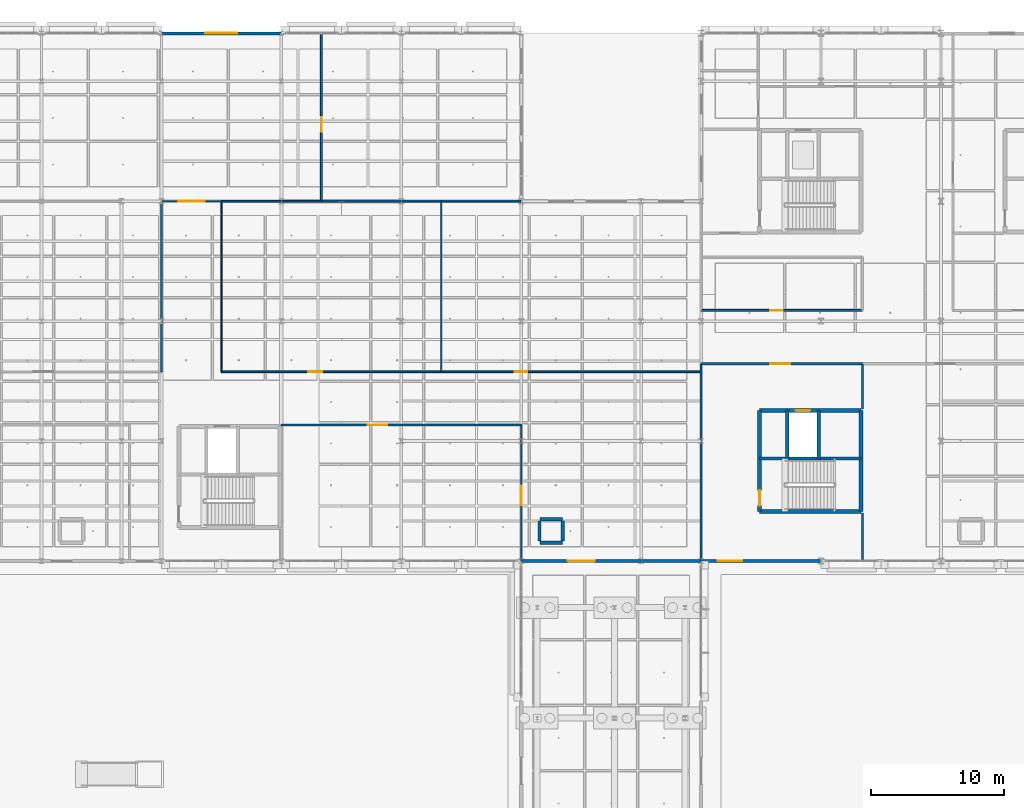
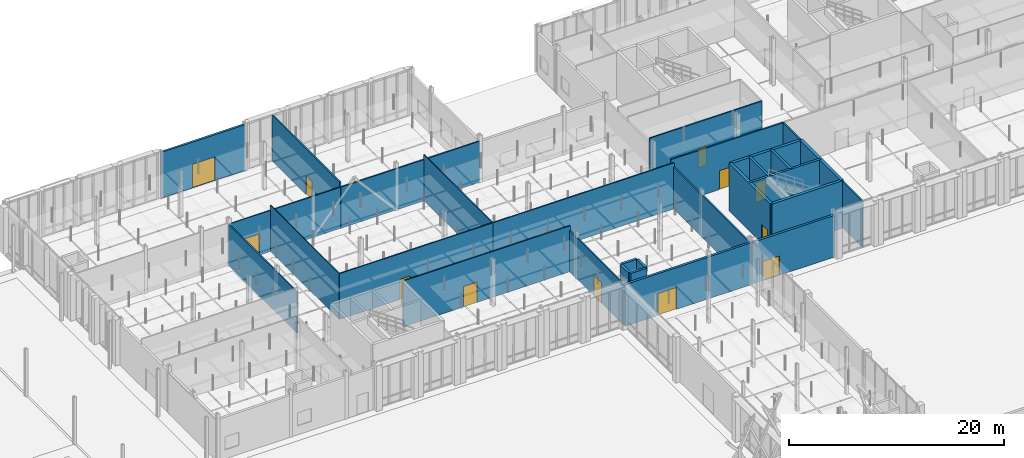
# One storey, part 99 of 180: 31 walls, 13 doors, 13 openings.
"""IFC4 building model written with IfcOpenShell, lengths in metres."""

from ifc_helpers import new_model, si_unit, direction, frame, frame_2d, origin, place, context, subcontext, project, spatial, rectangle, extrude, material, layer, layer_set, type_object, element, fill, save


model = new_model("IFC4")

# Units and contexts
model_context = context("Model", 3, precision=1e-05, world=origin(), true_north=direction((0.0, 1.0)))
body_context = subcontext(model_context, "Body", "Model", "MODEL_VIEW")
ifc_project = project(units=[si_unit("LENGTHUNIT", "METRE"), si_unit("AREAUNIT", "SQUARE_METRE"), si_unit("VOLUMEUNIT", "CUBIC_METRE"), si_unit("PLANEANGLEUNIT", "RADIAN"), si_unit("MASSUNIT", "GRAM", prefix="KILO"), si_unit("THERMODYNAMICTEMPERATUREUNIT", "KELVIN"), si_unit("POWERUNIT", "WATT")], contexts=[model_context])

# Site, building, storey
site_placement = place(None, origin())
site = spatial("IfcSite", under=ifc_project, at=site_placement, CompositionType="ELEMENT")
building_placement = place(site_placement, origin())
building = spatial("IfcBuilding", under=site, at=building_placement, Name="Tallowbark Science Centre", CompositionType="ELEMENT")
storey_placement = place(building_placement, origin())
storey = spatial("IfcBuildingStorey", under=building, at=storey_placement, Name="L00", CompositionType="ELEMENT", Elevation=0.0)

# Wall, opening, door
ifc_material_1 = material(Name="Hawkesbury Sandstone Faced Masonry Cavity Wall", Category="masonry")
ifc_layer_1 = layer(ifc_material_1, 0.22998046875)
ifc_layer_set_1 = layer_set([ifc_layer_1], Name="Hawkesbury Sandstone Faced Masonry Cavity Wall")
wall_type_1 = type_object("IfcWallType", Name="EWL-MAS-230", PredefinedType="STANDARD", material=ifc_layer_set_1)
wall_1_placement = place(storey_placement, frame((81.0, 111.60009765625, 0.0), z_axis=(0.0, 0.0, 1.0), x_axis=(-1.0, 0.0, 0.0)))
wall_1 = element("IfcWall", 1, at=wall_1_placement, inside=storey, type_object=wall_type_1, Name="Exterior Wall CAF-N-L00-72", PredefinedType="STANDARD", context=body_context, shape_type="SweptSolid", body=[
    extrude(rectangle(XDim=9.0, YDim=0.22998046875, at=frame_2d((4.5, 0.0))), origin(), (0.0, 0.0, 1.0), 5.219970703125),
])
opening_1_placement = place(wall_1_placement, frame((3.300048828125, 0.0, 0.0)))
opening_1 = element("IfcOpeningElement", 2, at=opening_1_placement, cuts=wall_1, Name="Opening ED-01", PredefinedType="OPENING", context=body_context, shape_type="SweptSolid", body=[
    extrude(rectangle(XDim=2.39990234375, YDim=2.699951171875, at=frame_2d((1.199951171875, 1.35009765625))), frame((0.0, 0.125, 0.0), z_axis=(0.0, -1.0, 0.0), x_axis=(1.0, 0.0, 0.0)), (0.0, 0.0, 1.0), 0.25),
])
ifc_material_2 = material(Name="Thermally Broken Glazed Aluminium Frame", Category="aluminium")
door_type_1 = type_object("IfcDoorType", Name="EDR-GLZ-240", OperationType="DOUBLE_DOOR_SINGLE_SWING", PredefinedType="DOOR", material=ifc_material_2)
door_1_placement = place(opening_1_placement, origin())
door_1 = element("IfcDoor", 3, at=door_1_placement, inside=storey, type_object=door_type_1, Name="Exterior Door EDR-L00-028", OperationType="DOUBLE_DOOR_SINGLE_SWING", OverallHeight=2.699951171875, OverallWidth=2.39990234375, PredefinedType="DOOR", context=body_context, shape_type="SweptSolid", body=[
    extrude(rectangle(XDim=2.39990234375, YDim=2.699951171875, at=frame_2d((1.199951171875, 1.35009765625))), frame((0.0, 0.02490234375, 0.0), z_axis=(0.0, -1.0, 0.0), x_axis=(1.0, 0.0, 0.0)), (0.0, 0.0, 1.0), 0.050048828125),
])
fill(opening_1, door_1)

ifc_material_3 = material(Name="Insulated Precast Concrete Panel Grade N40 (40 MPa)", Category="concrete")
ifc_layer_2 = layer(ifc_material_3, 0.25)
ifc_layer_set_2 = layer_set([ifc_layer_2], Name="Insulated Precast Concrete Panel Grade N40 (40 MPa)")
wall_type_2 = type_object("IfcWallType", Name="EWL-PRC-250", PredefinedType="STANDARD", material=ifc_layer_set_2)
wall_2_placement = place(storey_placement, frame((99.0, 72.0, 0.0), z_axis=(0.0, 0.0, 1.0), x_axis=(1.0, 0.0, 0.0)))
wall_2 = element("IfcWall", 4, at=wall_2_placement, inside=storey, type_object=wall_type_2, Name="Interior Link Wall LAB-LNK-INT-L00-A", PredefinedType="STANDARD", context=body_context, shape_type="SweptSolid", body=[
    extrude(rectangle(XDim=9.0, YDim=0.25, at=frame_2d((4.5, 0.0))), origin(), (0.0, 0.0, 1.0), 4.74609375),
])
opening_2_placement = place(wall_2_placement, frame((3.5, 0.0, 0.0)))
opening_2 = element("IfcOpeningElement", 5, at=opening_2_placement, cuts=wall_2, Name="Opening ED-02", PredefinedType="OPENING", context=body_context, shape_type="SweptSolid", body=[
    extrude(rectangle(XDim=2.0, YDim=2.5, at=frame_2d((1.0, 1.25))), frame((0.0, 0.135009765625, 0.0), z_axis=(0.0, -1.0, 0.0), x_axis=(1.0, 0.0, 0.0)), (0.0, 0.0, 1.0), 0.27001953125),
])
door_type_2 = type_object("IfcDoorType", Name="EDR-GLZ-200", OperationType="DOUBLE_DOOR_SINGLE_SWING", PredefinedType="DOOR", material=ifc_material_2)
door_2_placement = place(opening_2_placement, origin())
door_2 = element("IfcDoor", 6, at=door_2_placement, inside=storey, type_object=door_type_2, Name="Link Door EDR-L00-026", OperationType="DOUBLE_DOOR_SINGLE_SWING", OverallHeight=2.5, OverallWidth=2.0, PredefinedType="DOOR", context=body_context, shape_type="SweptSolid", body=[
    extrude(rectangle(XDim=2.0, YDim=2.5, at=frame_2d((1.0, 1.25))), frame((0.0, 0.02490234375, 0.0), z_axis=(0.0, -1.0, 0.0), x_axis=(1.0, 0.0, 0.0)), (0.0, 0.0, 1.0), 0.050048828125),
])
fill(opening_2, door_2)

# Wall
wall_3_placement = place(storey_placement, frame((108.0, 72.0, 0.0), z_axis=(0.0, 0.0, 1.0), x_axis=(1.0, 0.0, 0.0)))
element("IfcWall", 7, at=wall_3_placement, inside=storey, type_object=wall_type_2, Name="Interior Link Wall LAB-LNK-INT-L00-B", PredefinedType="STANDARD", context=body_context, shape_type="SweptSolid", body=[
    extrude(rectangle(XDim=4.5, YDim=0.25, at=frame_2d((2.25, 0.0))), origin(), (0.0, 0.0, 1.0), 4.74609375),
])

# Wall, opening, door
wall_4_placement = place(storey_placement, frame((112.5, 72.0, 0.0), z_axis=(0.0, 0.0, 1.0), x_axis=(1.0, 0.0, 0.0)))
wall_4 = element("IfcWall", 8, at=wall_4_placement, inside=storey, type_object=wall_type_2, Name="Exterior Wall OBS-S-L00-112", PredefinedType="STANDARD", context=body_context, shape_type="SweptSolid", body=[
    extrude(rectangle(XDim=9.0, YDim=0.25, at=frame_2d((4.5, 0.0))), origin(), (0.0, 0.0, 1.0), 4.74609375),
])
opening_3_placement = place(wall_4_placement, frame((1.25, 0.0, 0.0)))
opening_3 = element("IfcOpeningElement", 9, at=opening_3_placement, cuts=wall_4, Name="Opening ED-07", PredefinedType="OPENING", context=body_context, shape_type="SweptSolid", body=[
    extrude(rectangle(XDim=1.85009765625, YDim=2.199951171875, at=frame_2d((0.925048828125, 1.10009765625))), frame((0.0, 0.135009765625, 0.0), z_axis=(0.0, -1.0, 0.0), x_axis=(1.0, 0.0, 0.0)), (0.0, 0.0, 1.0), 0.27001953125),
])
ifc_material_4 = material(Name="Powdercoated Galvanised Steel Leaf", Category="steel")
door_type_3 = type_object("IfcDoorType", Name="EDR-ESC-185", OperationType="DOUBLE_DOOR_SINGLE_SWING", PredefinedType="DOOR", material=ifc_material_4)
door_3_placement = place(opening_3_placement, origin())
door_3 = element("IfcDoor", 10, at=door_3_placement, inside=storey, type_object=door_type_3, Name="Exterior Door EDR-L00-033", OperationType="DOUBLE_DOOR_SINGLE_SWING", OverallHeight=2.199951171875, OverallWidth=1.85009765625, PredefinedType="DOOR", context=body_context, shape_type="SweptSolid", body=[
    extrude(rectangle(XDim=1.85009765625, YDim=2.199951171875, at=frame_2d((0.925048828125, 1.10009765625))), frame((0.0, 0.02490234375, 0.0), z_axis=(0.0, -1.0, 0.0), x_axis=(1.0, 0.0, 0.0)), (0.0, 0.0, 1.0), 0.050048828125),
])
fill(opening_3, door_3)

ifc_material_5 = material(Name="132 mm Acoustic Laboratory Steel Stud Partition", Category="steel")
ifc_layer_3 = layer(ifc_material_5, 0.132080078125)
ifc_layer_set_3 = layer_set([ifc_layer_3], Name="132 mm Acoustic Laboratory Steel Stud Partition")
wall_type_3 = type_object("IfcWallType", Name="PTW-132", PredefinedType="PARTITIONING", material=ifc_layer_set_3)
wall_5_placement = place(storey_placement, frame((99.0, 72.0, 0.0), z_axis=(0.0, 0.0, 1.0), x_axis=(0.0, 1.0, 0.0)))
wall_5 = element("IfcWall", 11, at=wall_5_placement, inside=storey, type_object=wall_type_3, Name="Interior Partition PTW-L00-0120", PredefinedType="PARTITIONING", context=body_context, shape_type="SweptSolid", body=[
    extrude(rectangle(XDim=10.199951171875, YDim=0.132080078125, at=frame_2d((5.10009765625, 0.0))), origin(), (0.0, 0.0, 1.0), 4.671875),
])
opening_4_placement = place(wall_5_placement, frame((4.199951171875, 0.0, 0.0)))
opening_4 = element("IfcOpeningElement", 12, at=opening_4_placement, cuts=wall_5, Name="Opening DS-45", PredefinedType="OPENING", context=body_context, shape_type="SweptSolid", body=[
    extrude(rectangle(XDim=1.43994140625, YDim=2.324951171875, at=frame_2d((0.719970703125, 1.16259765625))), frame((0.0, 0.076171875, 0.0), z_axis=(0.0, -1.0, 0.0), x_axis=(1.0, 0.0, 0.0)), (0.0, 0.0, 1.0), 0.152099609375),
])
ifc_material_6 = material(Name="Vision-Panel Leaf and Unequal Side Leaf")
door_type_4 = type_object("IfcDoorType", Name="IDR-LAB-140-S45", OperationType="DOUBLE_DOOR_SINGLE_SWING", PredefinedType="DOOR", material=ifc_material_6)
door_4_placement = place(opening_4_placement, origin())
door_4 = element("IfcDoor", 13, at=door_4_placement, inside=storey, type_object=door_type_4, Name="Interior Door IDR-L00-0045", OperationType="DOUBLE_DOOR_SINGLE_SWING", OverallHeight=2.324951171875, OverallWidth=1.43994140625, PredefinedType="DOOR", context=body_context, shape_type="SweptSolid", body=[
    extrude(rectangle(XDim=1.43994140625, YDim=2.324951171875, at=frame_2d((0.719970703125, 1.16259765625))), frame((0.0, 0.02490234375, 0.0), z_axis=(0.0, -1.0, 0.0), x_axis=(1.0, 0.0, 0.0)), (0.0, 0.0, 1.0), 0.050048828125),
])
fill(opening_4, door_4)

wall_6_placement = place(storey_placement, frame((81.0, 82.199951171875, 0.0), z_axis=(0.0, 0.0, 1.0), x_axis=(1.0, 0.0, 0.0)))
wall_6 = element("IfcWall", 14, at=wall_6_placement, inside=storey, type_object=wall_type_3, Name="Interior Partition PTW-L00-0121", PredefinedType="PARTITIONING", context=body_context, shape_type="SweptSolid", body=[
    extrude(rectangle(XDim=18.0, YDim=0.132080078125, at=frame_2d((9.0, 0.0))), origin(), (0.0, 0.0, 1.0), 5.219970703125),
])
opening_5_placement = place(wall_6_placement, frame((6.5, 0.0, 0.0)))
opening_5 = element("IfcOpeningElement", 15, at=opening_5_placement, cuts=wall_6, Name="Opening DS-46", PredefinedType="OPENING", context=body_context, shape_type="SweptSolid", body=[
    extrude(rectangle(XDim=1.4599609375, YDim=2.324951171875, at=frame_2d((0.72998046875, 1.16259765625))), frame((0.0, 0.076171875, 0.0), z_axis=(0.0, -1.0, 0.0), x_axis=(1.0, 0.0, 0.0)), (0.0, 0.0, 1.0), 0.152099609375),
])
door_type_5 = type_object("IfcDoorType", Name="IDR-LAB-140-S46", OperationType="DOUBLE_DOOR_SINGLE_SWING", PredefinedType="DOOR", material=ifc_material_6)
door_5_placement = place(opening_5_placement, origin())
door_5 = element("IfcDoor", 16, at=door_5_placement, inside=storey, type_object=door_type_5, Name="Interior Door IDR-L00-0046", OperationType="DOUBLE_DOOR_SINGLE_SWING", OverallHeight=2.324951171875, OverallWidth=1.4599609375, PredefinedType="DOOR", context=body_context, shape_type="SweptSolid", body=[
    extrude(rectangle(XDim=1.4599609375, YDim=2.324951171875, at=frame_2d((0.72998046875, 1.16259765625))), frame((0.0, 0.02490234375, 0.0), z_axis=(0.0, -1.0, 0.0), x_axis=(1.0, 0.0, 0.0)), (0.0, 0.0, 1.0), 0.050048828125),
])
fill(opening_5, door_5)

# Wall
wall_7_placement = place(storey_placement, frame((72.0, 86.199951171875, 0.0), z_axis=(0.0, 0.0, 1.0), x_axis=(0.0, 1.0, 0.0)))
element("IfcWall", 17, at=wall_7_placement, inside=storey, type_object=wall_type_3, Name="Interior Partition PTW-L00-0123", PredefinedType="PARTITIONING", context=body_context, shape_type="SweptSolid", body=[
    extrude(rectangle(XDim=12.800048828125, YDim=0.132080078125, at=frame_2d((6.39990234375, 0.0))), origin(), (0.0, 0.0, 1.0), 4.671875),
])

# Wall, opening, door
wall_8_placement = place(storey_placement, frame((76.5, 86.199951171875, 0.0), z_axis=(0.0, 0.0, 1.0), x_axis=(1.0, 0.0, 0.0)))
wall_8 = element("IfcWall", 18, at=wall_8_placement, inside=storey, type_object=wall_type_3, Name="Interior Partition PTW-L00-0124", PredefinedType="PARTITIONING", context=body_context, shape_type="SweptSolid", body=[
    extrude(rectangle(XDim=16.5, YDim=0.132080078125, at=frame_2d((8.25, 0.0))), origin(), (0.0, 0.0, 1.0), 5.219970703125),
])
opening_6_placement = place(wall_8_placement, frame((6.5, 0.0, 0.0)))
opening_6 = element("IfcOpeningElement", 19, at=opening_6_placement, cuts=wall_8, Name="Opening DS-48", PredefinedType="OPENING", context=body_context, shape_type="SweptSolid", body=[
    extrude(rectangle(XDim=1.080078125, YDim=2.300048828125, at=frame_2d((0.5400390625, 1.14990234375))), frame((0.0, 0.076171875, 0.0), z_axis=(0.0, -1.0, 0.0), x_axis=(1.0, 0.0, 0.0)), (0.0, 0.0, 1.0), 0.152099609375),
])
ifc_material_7 = material(Name="Heavy-Duty Store Leaf")
door_type_6 = type_object("IfcDoorType", Name="IDR-STO-110-S48", OperationType="NOTDEFINED", PredefinedType="DOOR", material=ifc_material_7)
door_6_placement = place(opening_6_placement, origin())
door_6 = element("IfcDoor", 20, at=door_6_placement, inside=storey, type_object=door_type_6, Name="Interior Door IDR-L00-0048", OperationType="SINGLE_SWING_LEFT", OverallHeight=2.300048828125, OverallWidth=1.080078125, PredefinedType="DOOR", context=body_context, shape_type="SweptSolid", body=[
    extrude(rectangle(XDim=1.080078125, YDim=2.300048828125, at=frame_2d((0.5400390625, 1.14990234375))), frame((0.0, 0.02490234375, 0.0), z_axis=(0.0, -1.0, 0.0), x_axis=(1.0, 0.0, 0.0)), (0.0, 0.0, 1.0), 0.050048828125),
])
fill(opening_6, door_6)

wall_9_placement = place(storey_placement, frame((93.0, 86.199951171875, 0.0), z_axis=(0.0, 0.0, 1.0), x_axis=(1.0, 0.0, 0.0)))
wall_9 = element("IfcWall", 21, at=wall_9_placement, inside=storey, type_object=wall_type_3, Name="Interior Partition PTW-L00-0125", PredefinedType="PARTITIONING", context=body_context, shape_type="SweptSolid", body=[
    extrude(rectangle(XDim=19.5, YDim=0.132080078125, at=frame_2d((9.75, 0.0))), origin(), (0.0, 0.0, 1.0), 5.219970703125),
])
opening_7_placement = place(wall_9_placement, frame((5.5, 0.0, 0.0)))
opening_7 = element("IfcOpeningElement", 22, at=opening_7_placement, cuts=wall_9, Name="Opening ID-04", PredefinedType="OPENING", context=body_context, shape_type="SweptSolid", body=[
    extrude(rectangle(XDim=0.949951171875, YDim=2.14990234375, at=frame_2d((0.47509765625, 1.074951171875))), frame((0.0, 0.076171875, 0.0), z_axis=(0.0, -1.0, 0.0), x_axis=(1.0, 0.0, 0.0)), (0.0, 0.0, 1.0), 0.152099609375),
])
ifc_material_8 = material(Name="Solid-Core Timber Veneer Leaf", Category="wood")
door_type_7 = type_object("IfcDoorType", Name="IDR-OFF-095", OperationType="NOTDEFINED", PredefinedType="DOOR", material=ifc_material_8)
door_7_placement = place(opening_7_placement, origin())
door_7 = element("IfcDoor", 23, at=door_7_placement, inside=storey, type_object=door_type_7, Name="Interior Door IDR-L00-0049", OperationType="SINGLE_SWING_RIGHT", OverallHeight=2.14990234375, OverallWidth=0.949951171875, PredefinedType="DOOR", context=body_context, shape_type="SweptSolid", body=[
    extrude(rectangle(XDim=0.949951171875, YDim=2.14990234375, at=frame_2d((0.47509765625, 1.074951171875))), frame((0.0, 0.02490234375, 0.0), z_axis=(0.0, -1.0, 0.0), x_axis=(1.0, 0.0, 0.0)), (0.0, 0.0, 1.0), 0.050048828125),
])
fill(opening_7, door_7)

# Walls
wall_10_placement = place(storey_placement, frame((76.5, 99.0, 0.0), z_axis=(0.0, 0.0, 1.0), x_axis=(1.0, 0.0, 0.0)))
element("IfcWall", 24, at=wall_10_placement, inside=storey, type_object=wall_type_3, Name="Interior Partition PTW-L00-0130", PredefinedType="PARTITIONING", context=body_context, shape_type="SweptSolid", body=[
    extrude(rectangle(XDim=7.5, YDim=0.132080078125, at=frame_2d((3.75, 0.0))), origin(), (0.0, 0.0, 1.0), 4.6669921875),
])
ifc_material_9 = material(Name="150 mm Wet-Area Moisture-Resistant Partition")
ifc_layer_4 = layer(ifc_material_9, 0.14990234375)
ifc_layer_set_4 = layer_set([ifc_layer_4], Name="150 mm Wet-Area Moisture-Resistant Partition")
wall_type_4 = type_object("IfcWallType", Name="PTW-150", PredefinedType="PARTITIONING", material=ifc_layer_set_4)
wall_11_placement = place(storey_placement, frame((84.0, 99.0, 0.0), z_axis=(0.0, 0.0, 1.0), x_axis=(1.0, 0.0, 0.0)))
element("IfcWall", 25, at=wall_11_placement, inside=storey, type_object=wall_type_4, Name="Interior Partition PTW-L00-0131", PredefinedType="PARTITIONING", context=body_context, shape_type="SweptSolid", body=[
    extrude(rectangle(XDim=15.0, YDim=0.14990234375, at=frame_2d((7.5, 0.0))), origin(), (0.0, 0.0, 1.0), 4.6669921875),
])

# Wall, opening, door
wall_12_placement = place(storey_placement, frame((84.0, 99.0, 0.0), z_axis=(0.0, 0.0, 1.0), x_axis=(0.0, 1.0, 0.0)))
wall_12 = element("IfcWall", 26, at=wall_12_placement, inside=storey, type_object=wall_type_4, Name="Interior Partition PTW-L00-0132", PredefinedType="PARTITIONING", context=body_context, shape_type="SweptSolid", body=[
    extrude(rectangle(XDim=12.60009765625, YDim=0.14990234375, at=frame_2d((6.300048828125, 0.0))), origin(), (0.0, 0.0, 1.0), 5.219970703125),
])
opening_8_placement = place(wall_12_placement, frame((5.199951171875, 0.0, 0.0)))
opening_8 = element("IfcOpeningElement", 27, at=opening_8_placement, cuts=wall_12, Name="Opening ID-07", PredefinedType="OPENING", context=body_context, shape_type="SweptSolid", body=[
    extrude(rectangle(XDim=1.10009765625, YDim=2.14990234375, at=frame_2d((0.550048828125, 1.074951171875))), frame((0.0, 0.0849609375, 0.0), z_axis=(0.0, -1.0, 0.0), x_axis=(1.0, 0.0, 0.0)), (0.0, 0.0, 1.0), 0.169921875),
])
door_type_8 = type_object("IfcDoorType", Name="IDR-STO-110", OperationType="NOTDEFINED", PredefinedType="DOOR", material=ifc_material_7)
door_8_placement = place(opening_8_placement, origin())
door_8 = element("IfcDoor", 28, at=door_8_placement, inside=storey, type_object=door_type_8, Name="Interior Door IDR-L00-0051", OperationType="SINGLE_SWING_LEFT", OverallHeight=2.14990234375, OverallWidth=1.10009765625, PredefinedType="DOOR", context=body_context, shape_type="SweptSolid", body=[
    extrude(rectangle(XDim=1.10009765625, YDim=2.14990234375, at=frame_2d((0.550048828125, 1.074951171875))), frame((0.0, 0.02490234375, 0.0), z_axis=(0.0, -1.0, 0.0), x_axis=(1.0, 0.0, 0.0)), (0.0, 0.0, 1.0), 0.050048828125),
])
fill(opening_8, door_8)

wall_13_placement = place(storey_placement, frame((112.5, 90.800048828125, 0.0), z_axis=(0.0, 0.0, 1.0), x_axis=(1.0, 0.0, 0.0)))
wall_13 = element("IfcWall", 29, at=wall_13_placement, inside=storey, type_object=wall_type_4, Name="Interior Partition PTW-L00-0136", PredefinedType="PARTITIONING", context=body_context, shape_type="SweptSolid", body=[
    extrude(rectangle(XDim=12.10009765625, YDim=0.14990234375, at=frame_2d((6.050048828125, 0.0))), origin(), (0.0, 0.0, 1.0), 5.219970703125),
])
opening_9_placement = place(wall_13_placement, frame((5.199951171875, 0.0, 0.0)))
opening_9 = element("IfcOpeningElement", 30, at=opening_9_placement, cuts=wall_13, Name="Opening ID-05", PredefinedType="OPENING", context=body_context, shape_type="SweptSolid", body=[
    extrude(rectangle(XDim=0.919921875, YDim=2.14990234375, at=frame_2d((0.4599609375, 1.074951171875))), frame((0.0, 0.0849609375, 0.0), z_axis=(0.0, -1.0, 0.0), x_axis=(1.0, 0.0, 0.0)), (0.0, 0.0, 1.0), 0.169921875),
])
ifc_material_10 = material(Name="Moisture-Resistant Laminate Leaf")
door_type_9 = type_object("IfcDoorType", Name="IDR-WC-092", OperationType="NOTDEFINED", PredefinedType="DOOR", material=ifc_material_10)
door_9_placement = place(opening_9_placement, origin())
door_9 = element("IfcDoor", 31, at=door_9_placement, inside=storey, type_object=door_type_9, Name="Interior Door IDR-L00-0054", OperationType="SINGLE_SWING_LEFT", OverallHeight=2.14990234375, OverallWidth=0.919921875, PredefinedType="DOOR", context=body_context, shape_type="SweptSolid", body=[
    extrude(rectangle(XDim=0.919921875, YDim=2.14990234375, at=frame_2d((0.4599609375, 1.074951171875))), frame((0.0, 0.02490234375, 0.0), z_axis=(0.0, -1.0, 0.0), x_axis=(1.0, 0.0, 0.0)), (0.0, 0.0, 1.0), 0.050048828125),
])
fill(opening_9, door_9)

# Wall
ifc_material_11 = material(Name="162 mm Double-Stud Fire-Rated Corridor Partition")
ifc_layer_5 = layer(ifc_material_11, 0.162109375)
ifc_layer_set_5 = layer_set([ifc_layer_5], Name="162 mm Double-Stud Fire-Rated Corridor Partition")
wall_type_5 = type_object("IfcWallType", Name="PTW-162", PredefinedType="PARTITIONING", material=ifc_layer_set_5)
wall_14_placement = place(storey_placement, frame((112.5, 72.0, 0.0), z_axis=(0.0, 0.0, 1.0), x_axis=(0.0, 1.0, 0.0)))
element("IfcWall", 32, at=wall_14_placement, inside=storey, type_object=wall_type_5, Name="Interior Partition PTW-L00-0001", PredefinedType="PARTITIONING", context=body_context, shape_type="SweptSolid", body=[
    extrude(rectangle(XDim=14.800048828125, YDim=0.162109375, at=frame_2d((7.39990234375, 0.0))), origin(), (0.0, 0.0, 1.0), 4.74609375),
])

# Wall, opening, door
wall_15_placement = place(storey_placement, frame((112.5, 86.800048828125, 0.0), z_axis=(0.0, 0.0, 1.0), x_axis=(1.0, 0.0, 0.0)))
wall_15 = element("IfcWall", 33, at=wall_15_placement, inside=storey, type_object=wall_type_5, Name="Interior Partition PTW-L00-0016", PredefinedType="PARTITIONING", context=body_context, shape_type="SweptSolid", body=[
    extrude(rectangle(XDim=12.10009765625, YDim=0.162109375, at=frame_2d((6.050048828125, 0.0))), origin(), (0.0, 0.0, 1.0), 5.219970703125),
])
opening_10_placement = place(wall_15_placement, frame((5.199951171875, 0.0, 0.0)))
opening_10 = element("IfcOpeningElement", 34, at=opening_10_placement, cuts=wall_15, Name="Opening DS-03", PredefinedType="OPENING", context=body_context, shape_type="SweptSolid", body=[
    extrude(rectangle(XDim=1.489990234375, YDim=2.14990234375, at=frame_2d((0.7451171875, 1.074951171875))), frame((0.0, 0.091064453125, 0.0), z_axis=(0.0, -1.0, 0.0), x_axis=(1.0, 0.0, 0.0)), (0.0, 0.0, 1.0), 0.18212890625),
])
ifc_material_12 = material(Name="Fire-Rated Glazed Steel Pair", Category="steel")
door_type_10 = type_object("IfcDoorType", Name="FDR-LOB-145-S03", OperationType="DOUBLE_DOOR_SINGLE_SWING", PredefinedType="DOOR", material=ifc_material_12)
door_10_placement = place(opening_10_placement, origin())
door_10 = element("IfcDoor", 35, at=door_10_placement, inside=storey, type_object=door_type_10, Name="Interior Door IDR-L00-0003", OperationType="DOUBLE_DOOR_SINGLE_SWING", OverallHeight=2.14990234375, OverallWidth=1.489990234375, PredefinedType="DOOR", context=body_context, shape_type="SweptSolid", body=[
    extrude(rectangle(XDim=1.489990234375, YDim=2.14990234375, at=frame_2d((0.7451171875, 1.074951171875))), frame((0.0, 0.02490234375, 0.0), z_axis=(0.0, -1.0, 0.0), x_axis=(1.0, 0.0, 0.0)), (0.0, 0.0, 1.0), 0.050048828125),
])
fill(opening_10, door_10)

# Walls
wall_16_placement = place(storey_placement, frame((124.60009765625, 83.39990234375, 0.0), z_axis=(0.0, 0.0, 1.0), x_axis=(0.0, 1.0, 0.0)))
element("IfcWall", 36, at=wall_16_placement, inside=storey, type_object=wall_type_5, Name="Interior Partition PTW-L00-0017", PredefinedType="PARTITIONING", context=body_context, shape_type="SweptSolid", body=[
    extrude(rectangle(XDim=3.400146484375, YDim=0.162109375, at=frame_2d((1.7001953125, 0.0))), origin(), (0.0, 0.0, 1.0), 5.219970703125),
])
wall_17_placement = place(storey_placement, frame((124.60009765625, 72.0, 0.0), z_axis=(0.0, 0.0, 1.0), x_axis=(0.0, 1.0, 0.0)))
element("IfcWall", 37, at=wall_17_placement, inside=storey, type_object=wall_type_5, Name="Interior Partition PTW-L00-0018", PredefinedType="PARTITIONING", context=body_context, shape_type="SweptSolid", body=[
    extrude(rectangle(XDim=3.60009765625, YDim=0.162109375, at=frame_2d((1.800048828125, 0.0))), origin(), (0.0, 0.0, 1.0), 5.219970703125),
])
ifc_material_13 = material(Name="92 mm Steel Stud and Double 13 mm Plasterboard Partition", Category="steel")
ifc_layer_6 = layer(ifc_material_13, 0.092041015625)
ifc_layer_set_6 = layer_set([ifc_layer_6], Name="92 mm Steel Stud and Double 13 mm Plasterboard Partition")
wall_type_6 = type_object("IfcWallType", Name="PTW-92", PredefinedType="PARTITIONING", material=ifc_layer_set_6)
for number, where, z_axis, x_axis, name in (
    (38, (76.5, 86.199951171875, 0.0), (0.0, 0.0, 1.0), (0.0, 1.0, 0.0), "Interior Partition PTW-L00-0126"),
    (39, (93.0, 86.199951171875, 0.0), (0.0, 0.0, 1.0), (0.0, 1.0, 0.0), "Interior Partition PTW-L00-0127"),
):
    element("IfcWall", number, at=place(storey_placement, frame(where, z_axis=z_axis, x_axis=x_axis)), inside=storey, type_object=wall_type_6, Name=name, PredefinedType="PARTITIONING", context=body_context, shape_type="SweptSolid", body=[
        extrude(rectangle(XDim=12.800048828125, YDim=0.092041015625, at=frame_2d((6.39990234375, 0.0))), origin(), (0.0, 0.0, 1.0), 5.219970703125),
    ])

# Wall, opening, door
ifc_material_14 = material(Name="108 mm Acoustic Double-Glazed Laboratory Partition")
ifc_layer_7 = layer(ifc_material_14, 0.10791015625)
ifc_layer_set_7 = layer_set([ifc_layer_7], Name="108 mm Acoustic Double-Glazed Laboratory Partition")
wall_type_7 = type_object("IfcWallType", Name="PTW-GLZ-108", PredefinedType="PARTITIONING", material=ifc_layer_set_7)
wall_18_placement = place(storey_placement, frame((72.0, 99.0, 0.0), z_axis=(0.0, 0.0, 1.0), x_axis=(1.0, 0.0, 0.0)))
wall_18 = element("IfcWall", 40, at=wall_18_placement, inside=storey, type_object=wall_type_7, Name="Interior Partition PTW-L00-0129", PredefinedType="PARTITIONING", context=body_context, shape_type="SweptSolid", body=[
    extrude(rectangle(XDim=4.5, YDim=0.10791015625, at=frame_2d((2.25, 0.0))), origin(), (0.0, 0.0, 1.0), 4.6669921875),
])
opening_11_placement = place(wall_18_placement, frame((1.25, 0.0, 0.0)))
opening_11 = element("IfcOpeningElement", 41, at=opening_11_placement, cuts=wall_18, Name="Opening ID-02", PredefinedType="OPENING", context=body_context, shape_type="SweptSolid", body=[
    extrude(rectangle(XDim=2.0, YDim=2.39990234375, at=frame_2d((1.0, 1.199951171875))), frame((0.0, 0.06396484375, 0.0), z_axis=(0.0, -1.0, 0.0), x_axis=(1.0, 0.0, 0.0)), (0.0, 0.0, 1.0), 0.1279296875),
])
ifc_material_15 = material(Name="Spotted Gum Acoustic Gallery Pair", Category="wood")
door_type_11 = type_object("IfcDoorType", Name="IDR-GAL-200", OperationType="DOUBLE_DOOR_DOUBLE_SWING", PredefinedType="DOOR", material=ifc_material_15)
door_11_placement = place(opening_11_placement, origin())
door_11 = element("IfcDoor", 42, at=door_11_placement, inside=storey, type_object=door_type_11, Name="Interior Door IDR-L00-0050", OperationType="DOUBLE_DOOR_DOUBLE_SWING", OverallHeight=2.39990234375, OverallWidth=2.0, PredefinedType="DOOR", context=body_context, shape_type="SweptSolid", body=[
    extrude(rectangle(XDim=2.0, YDim=2.39990234375, at=frame_2d((1.0, 1.199951171875))), frame((0.0, 0.02490234375, 0.0), z_axis=(0.0, -1.0, 0.0), x_axis=(1.0, 0.0, 0.0)), (0.0, 0.0, 1.0), 0.050048828125),
])
fill(opening_11, door_11)

ifc_material_16 = material(Name="Concrete Grade N40 (40 MPa)", Category="concrete")
ifc_layer_8 = layer(ifc_material_16, 0.300048828125)
ifc_layer_set_8 = layer_set([ifc_layer_8], Name="Concrete Grade N40 (40 MPa)")
wall_type_8 = type_object("IfcWallType", Name="WL-CORE-300", PredefinedType="SHEAR", material=ifc_layer_set_8)
wall_19_placement = place(storey_placement, frame((116.89990234375, 75.699951171875, 0.0), z_axis=(0.0, 0.0, 1.0), x_axis=(0.0, 1.0, 0.0)))
wall_19 = element("IfcWall", 43, at=wall_19_placement, inside=storey, type_object=wall_type_8, Name="Core C2 Shear Wall L00 W", PredefinedType="SHEAR", context=body_context, shape_type="SweptSolid", body=[
    extrude(rectangle(XDim=7.60009765625, YDim=0.300048828125, at=frame_2d((3.800048828125, 0.0))), origin(), (0.0, 0.0, 1.0), 5.39990234375),
])
opening_12_placement = place(wall_19_placement, frame((0.449951171875, 0.0, 0.0)))
opening_12 = element("IfcOpeningElement", 44, at=opening_12_placement, cuts=wall_19, Name="Opening FD-01", PredefinedType="OPENING", context=body_context, shape_type="SweptSolid", body=[
    extrude(rectangle(XDim=1.14990234375, YDim=2.14990234375, at=frame_2d((0.574951171875, 1.074951171875))), frame((0.0, 0.16015625, 0.0), z_axis=(0.0, -1.0, 0.0), x_axis=(1.0, 0.0, 0.0)), (0.0, 0.0, 1.0), 0.320068359375),
])
ifc_material_17 = material(Name="Fire-Rated Pressed Steel Frame and Solid Core Leaf", Category="steel")
door_type_12 = type_object("IfcDoorType", Name="FDR-STR-115", OperationType="NOTDEFINED", PredefinedType="DOOR", material=ifc_material_17)
door_12_placement = place(opening_12_placement, origin())
door_12 = element("IfcDoor", 45, at=door_12_placement, inside=storey, type_object=door_type_12, Name="Stair ST-02 Fire Door L00", OperationType="SINGLE_SWING_LEFT", OverallHeight=2.14990234375, OverallWidth=1.14990234375, PredefinedType="DOOR", context=body_context, shape_type="SweptSolid", body=[
    extrude(rectangle(XDim=1.14990234375, YDim=2.14990234375, at=frame_2d((0.574951171875, 1.074951171875))), frame((0.0, 0.02490234375, 0.0), z_axis=(0.0, -1.0, 0.0), x_axis=(1.0, 0.0, 0.0)), (0.0, 0.0, 1.0), 0.050048828125),
])
fill(opening_12, door_12)

# Walls
for number, where, z_axis, x_axis, name in (
    (46, (124.5, 75.699951171875, 0.0), (0.0, 0.0, 1.0), (0.0, 1.0, 0.0), "Core C2 Shear Wall L00 E"),
    (47, (116.89990234375, 75.699951171875, 0.0), (0.0, 0.0, 1.0), (1.0, 0.0, 0.0), "Core C2 Shear Wall L00 S"),
):
    element("IfcWall", number, at=place(storey_placement, frame(where, z_axis=z_axis, x_axis=x_axis)), inside=storey, type_object=wall_type_8, Name=name, PredefinedType="SHEAR", context=body_context, shape_type="SweptSolid", body=[
        extrude(rectangle(XDim=7.60009765625, YDim=0.300048828125, at=frame_2d((3.800048828125, 0.0))), origin(), (0.0, 0.0, 1.0), 5.39990234375),
    ])

# Wall, opening, door
wall_20_placement = place(storey_placement, frame((116.89990234375, 83.300048828125, 0.0), z_axis=(0.0, 0.0, 1.0), x_axis=(1.0, 0.0, 0.0)))
wall_20 = element("IfcWall", 48, at=wall_20_placement, inside=storey, type_object=wall_type_8, Name="Core C2 Shear Wall L00 N", PredefinedType="SHEAR", context=body_context, shape_type="SweptSolid", body=[
    extrude(rectangle(XDim=7.60009765625, YDim=0.300048828125, at=frame_2d((3.800048828125, 0.0))), origin(), (0.0, 0.0, 1.0), 5.39990234375),
])
opening_13_placement = place(wall_20_placement, frame((2.699951171875, 0.0, 0.0)))
opening_13 = element("IfcOpeningElement", 49, at=opening_13_placement, cuts=wall_20, Name="Opening LD-01", PredefinedType="OPENING", context=body_context, shape_type="SweptSolid", body=[
    extrude(rectangle(XDim=1.10009765625, YDim=2.199951171875, at=frame_2d((0.550048828125, 1.10009765625))), frame((0.0, 0.16015625, 0.0), z_axis=(0.0, -1.0, 0.0), x_axis=(1.0, 0.0, 0.0)), (0.0, 0.0, 1.0), 0.320068359375),
])
ifc_material_18 = material(Name="Brushed Stainless Steel Centre-Parting Lift Landing Door", Category="steel")
door_type_13 = type_object("IfcDoorType", Name="LDR-LFT-110", OperationType="DOUBLE_DOOR_SLIDING", PredefinedType="DOOR", material=ifc_material_18)
door_13_placement = place(opening_13_placement, origin())
door_13 = element("IfcDoor", 50, at=door_13_placement, inside=storey, type_object=door_type_13, Name="Lift LF-02 Landing Door L00", OperationType="DOUBLE_DOOR_SLIDING", OverallHeight=2.199951171875, OverallWidth=1.10009765625, PredefinedType="DOOR", context=body_context, shape_type="SweptSolid", body=[
    extrude(rectangle(XDim=1.10009765625, YDim=2.199951171875, at=frame_2d((0.550048828125, 1.10009765625))), frame((0.0, 0.02490234375, 0.0), z_axis=(0.0, -1.0, 0.0), x_axis=(1.0, 0.0, 0.0)), (0.0, 0.0, 1.0), 0.050048828125),
])
fill(opening_13, door_13)

# Walls
ifc_layer_9 = layer(ifc_material_16, 0.25)
ifc_layer_set_9 = layer_set([ifc_layer_9], Name="Concrete Grade N40 (40 MPa)")
wall_type_9 = type_object("IfcWallType", Name="WL-SHAFT-250", PredefinedType="SHEAR", material=ifc_layer_set_9)
wall_21_placement = place(storey_placement, frame((116.89990234375, 79.695068359375, 0.0), z_axis=(0.0, 0.0, 1.0), x_axis=(1.0, 0.0, 0.0)))
element("IfcWall", 51, at=wall_21_placement, inside=storey, type_object=wall_type_9, Name="Core C2 Shear Wall L00 MID", PredefinedType="SHEAR", context=body_context, shape_type="SweptSolid", body=[
    extrude(rectangle(XDim=7.60009765625, YDim=0.25, at=frame_2d((3.800048828125, 0.0))), origin(), (0.0, 0.0, 1.0), 5.39990234375),
])
for number, where, z_axis, x_axis, name in (
    (52, (118.97509765625, 79.695068359375, 0.0), (0.0, 0.0, 1.0), (0.0, 1.0, 0.0), "Core C2 Shear Wall L00 LW"),
    (53, (121.324951171875, 79.695068359375, 0.0), (0.0, 0.0, 1.0), (0.0, 1.0, 0.0), "Core C2 Shear Wall L00 LE"),
):
    element("IfcWall", number, at=place(storey_placement, frame(where, z_axis=z_axis, x_axis=x_axis)), inside=storey, type_object=wall_type_9, Name=name, PredefinedType="SHEAR", context=body_context, shape_type="SweptSolid", body=[
        extrude(rectangle(XDim=3.60498046875, YDim=0.25, at=frame_2d((1.802490234375, 0.0))), origin(), (0.0, 0.0, 1.0), 5.39990234375),
    ])
for number, where, z_axis, x_axis, name in (
    (54, (100.39990234375, 73.375, 0.0), (0.0, 0.0, 1.0), (1.0, 0.0, 0.0), "Service Riser Shaft Wall RSR-LAB-E L00 S"),
    (55, (100.39990234375, 75.125, 0.0), (0.0, 0.0, 1.0), (1.0, 0.0, 0.0), "Service Riser Shaft Wall RSR-LAB-E L00 N"),
):
    element("IfcWall", number, at=place(storey_placement, frame(where, z_axis=z_axis, x_axis=x_axis)), inside=storey, type_object=wall_type_9, Name=name, PredefinedType="SHEAR", context=body_context, shape_type="SweptSolid", body=[
        extrude(rectangle(XDim=1.7001953125, YDim=0.25, at=frame_2d((0.85009765625, 0.0))), origin(), (0.0, 0.0, 1.0), 4.669921875),
    ])
for number, where, z_axis, x_axis, name in (
    (56, (100.375, 73.5, 0.0), (0.0, 0.0, 1.0), (0.0, 1.0, 0.0), "Service Riser Shaft Wall RSR-LAB-E L00 W"),
    (57, (102.125, 73.5, 0.0), (0.0, 0.0, 1.0), (0.0, 1.0, 0.0), "Service Riser Shaft Wall RSR-LAB-E L00 E"),
):
    element("IfcWall", number, at=place(storey_placement, frame(where, z_axis=z_axis, x_axis=x_axis)), inside=storey, type_object=wall_type_9, Name=name, PredefinedType="SHEAR", context=body_context, shape_type="SweptSolid", body=[
        extrude(rectangle(XDim=1.5, YDim=0.25, at=frame_2d((0.75, 0.0))), origin(), (0.0, 0.0, 1.0), 4.669921875),
    ])

save(model, "model.ifc")
